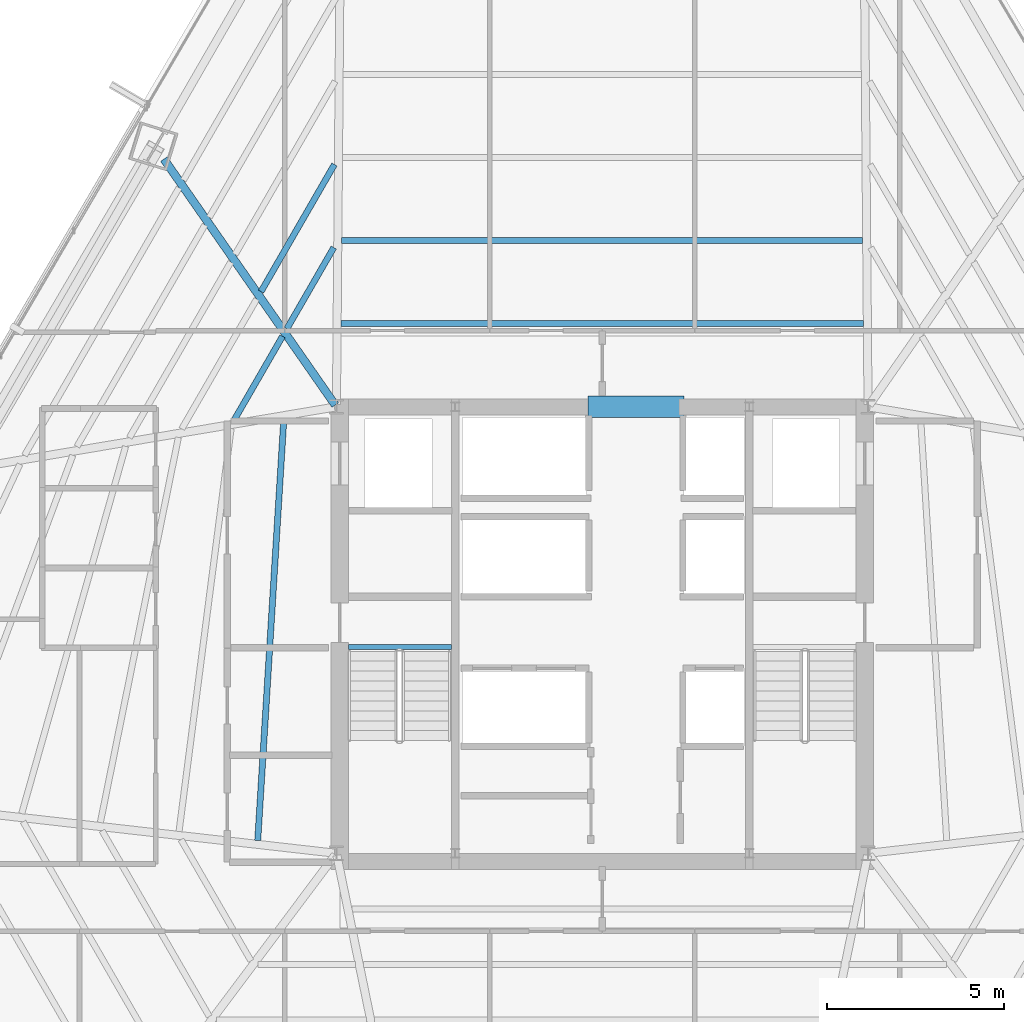
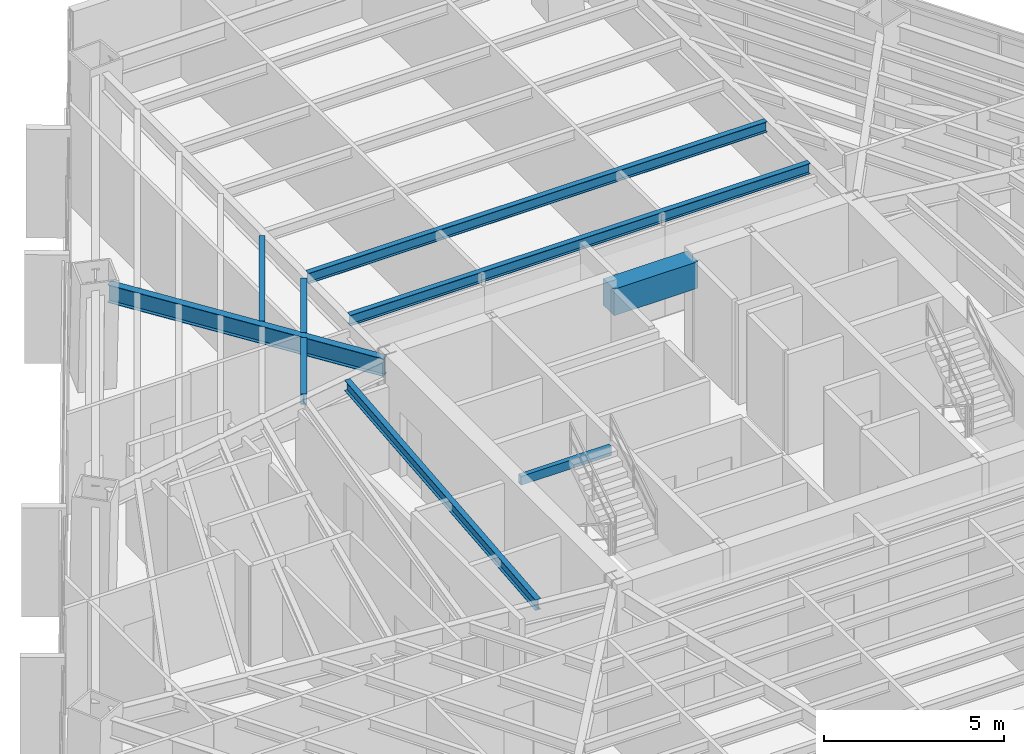
# One storey, part 14 of 37: 9 beams.
"""IFC4 building model written with IfcOpenShell, lengths in metres."""

from ifc_helpers import new_model, si_unit, direction, frame, origin, origin_2d, place, context, subcontext, project, spatial, rectangle, hollow_rectangle, i_section, extrude, source, transform, mapped, material, material_profile, profile_set, type_object, type_shapes, element, save


model = new_model("IFC4")

# Units and contexts
model_context = context("Model", 3, precision=1e-05, world=origin(), true_north=direction((0.0, 1.0)))
body_context = subcontext(model_context, "Body", "Model", "MODEL_VIEW")
ifc_project = project(units=[si_unit("LENGTHUNIT", "METRE"), si_unit("AREAUNIT", "SQUARE_METRE"), si_unit("VOLUMEUNIT", "CUBIC_METRE"), si_unit("PLANEANGLEUNIT", "RADIAN"), si_unit("MASSUNIT", "GRAM", prefix="KILO")], contexts=[model_context])

# Site, building, storey
site_placement = place(None, origin())
site = spatial("IfcSite", under=ifc_project, at=site_placement, CompositionType="ELEMENT")
building_placement = place(site_placement, origin())
building = spatial("IfcBuilding", under=site, at=building_placement, Name="Caelisora Broadcast Tower", CompositionType="ELEMENT")
storey_placement = place(building_placement, frame((0.0, 0.0, 105.39990234375)))
storey = spatial("IfcBuildingStorey", under=building, at=storey_placement, Name="L27", CompositionType="ELEMENT", Elevation=105.39990234375)

# Beams
ifc_material_1 = material(Name="Steel Grade 350 (AS/NZS 1163 C350L0)", Category="steel")
ifc_material_profile_1 = material_profile(ifc_material_1, hollow_rectangle(XDim=0.14990234375, YDim=0.300048828125, WallThickness=0.010009765625, at=origin_2d()), Name="Steel Grade 350 (AS/NZS 1163 C350L0)")
ifc_profile_set_1 = profile_set([ifc_material_profile_1], Name="Steel Grade 350 (AS/NZS 1163 C350L0)")
beam_type_1 = type_object("IfcBeamType", Name="SB05", PredefinedType="JOIST", material=ifc_profile_set_1)
shared_shape_1 = source(origin(), body_context, "Body", "SweptSolid", [
    extrude(hollow_rectangle(XDim=0.14990234375, YDim=0.300048828125, WallThickness=0.010009765625, at=origin_2d()), origin(), (0.0, 0.0, 1.0), 2.89990234375),
])
type_shapes(beam_type_1, [shared_shape_1])
beam_1_placement = place(storey_placement, frame((30.840087890625, 23.219970703125, 3.25), z_axis=(1.0, 0.0, 0.0), x_axis=(0.0, 1.0, 0.0)))
element("IfcBeam", 1, at=beam_1_placement, inside=storey, type_object=beam_type_1, Name="L27 beam SB05", PredefinedType="JOIST", context=body_context, shape_type="MappedRepresentation", body=[
    mapped(shared_shape_1, transform((0.0, 0.0, 0.0), scale=1.0)),
])
ifc_material_2 = material(Name="Concrete 50 MPa (AS 3600 S50)", Category="concrete")
ifc_material_profile_2 = material_profile(ifc_material_2, rectangle(XDim=0.60009765625, YDim=0.89990234375, at=origin_2d()), Name="Concrete 50 MPa (AS 3600 S50)")
ifc_profile_set_2 = profile_set([ifc_material_profile_2], Name="Concrete 50 MPa (AS 3600 S50)")
beam_type_2 = type_object("IfcBeamType", Name="CB02", PredefinedType="LINTEL", material=ifc_profile_set_2)
shared_shape_2 = source(origin(), body_context, "Body", "SweptSolid", [
    extrude(rectangle(XDim=0.60009765625, YDim=0.89990234375, at=origin_2d()), origin(), (0.0, 0.0, 1.0), 2.699951171875),
])
type_shapes(beam_type_2, [shared_shape_2])
beam_2_placement = place(storey_placement, frame((37.60009765625, 30.0, 2.9501953125), z_axis=(1.0, 0.0, 0.0), x_axis=(0.0, 1.0, 0.0)))
element("IfcBeam", 2, at=beam_2_placement, inside=storey, type_object=beam_type_2, Name="L27 beam CB02", PredefinedType="LINTEL", context=body_context, shape_type="MappedRepresentation", body=[
    mapped(shared_shape_2, transform((0.0, 0.0, 0.0), scale=1.0)),
])
ifc_material_3 = material(Name="Steel Grade 350 (AS/NZS 3679.1)", Category="steel")
ifc_material_profile_3 = material_profile(ifc_material_3, i_section(OverallWidth=0.22802734375, OverallDepth=0.602294921875, WebThickness=0.010498046875, FlangeThickness=0.014892578125, at=origin_2d()), Name="Steel Grade 350 (AS/NZS 3679.1)")
ifc_profile_set_3 = profile_set([ifc_material_profile_3], Name="Steel Grade 350 (AS/NZS 3679.1)")
beam_type_3 = type_object("IfcBeamType", Name="PG04", PredefinedType="BEAM", material=ifc_profile_set_3)
shared_shape_3 = source(origin(), body_context, "Body", "SweptSolid", [
    extrude(i_section(OverallWidth=0.22802734375, OverallDepth=0.602294921875, WebThickness=0.010498046875, FlangeThickness=0.014892578125, at=origin_2d()), origin(), (0.0, 0.0, 1.0), 8.458251953125),
])
type_shapes(beam_type_3, [shared_shape_3])
beam_3_placement = place(storey_placement, frame((30.4658203125, 30.04931640625, 3.098876953125), z_axis=(-0.571603082858, 0.82053026493, 0.0), x_axis=(-0.82053026493, -0.571603082858, 0.0)))
element("IfcBeam", 3, at=beam_3_placement, inside=storey, type_object=beam_type_3, Name="L27 beam PG04", PredefinedType="BEAM", context=body_context, shape_type="MappedRepresentation", body=[
    mapped(shared_shape_3, transform((0.0, 0.0, 0.0), scale=1.0)),
])
ifc_material_profile_4 = material_profile(ifc_material_3, i_section(OverallWidth=0.172119140625, OverallDepth=0.358642578125, WebThickness=0.008056640625, FlangeThickness=0.012939453125, at=origin_2d()), Name="Steel Grade 350 (AS/NZS 3679.1)")
ifc_profile_set_4 = profile_set([ifc_material_profile_4], Name="Steel Grade 350 (AS/NZS 3679.1)")
beam_type_4 = type_object("IfcBeamType", Name="SB02", PredefinedType="JOIST", material=ifc_profile_set_4)
shared_shape_4 = source(origin(), body_context, "Body", "SweptSolid", [
    extrude(i_section(OverallWidth=0.172119140625, OverallDepth=0.358642578125, WebThickness=0.008056640625, FlangeThickness=0.012939453125, at=origin_2d()), origin(), (0.0, 0.0, 1.0), 14.73974609375),
])
beam_4_placement = place(storey_placement, frame((45.369873046875, 32.344970703125, 3.220703125), z_axis=(-1.0, 0.0, 0.0), x_axis=(0.0, -1.0, 0.0)))
element("IfcBeam", 4, at=beam_4_placement, inside=storey, type_object=beam_type_4, Name="L27 beam SB02", PredefinedType="JOIST", context=body_context, shape_type="MappedRepresentation", body=[
    mapped(shared_shape_4, transform((0.0, 0.0, 0.0), scale=1.0)),
])
shared_shape_5 = source(origin(), body_context, "Body", "SweptSolid", [
    extrude(i_section(OverallWidth=0.172119140625, OverallDepth=0.358642578125, WebThickness=0.008056640625, FlangeThickness=0.012939453125, at=origin_2d()), origin(), (0.0, 0.0, 1.0), 14.701171875),
])
beam_5_placement = place(storey_placement, frame((45.3505859375, 34.690185546875, 3.220703125), z_axis=(-1.0, 0.0, 0.0), x_axis=(0.0, -1.0, 0.0)))
element("IfcBeam", 5, at=beam_5_placement, inside=storey, type_object=beam_type_4, Name="L27 beam SB02", PredefinedType="JOIST", context=body_context, shape_type="MappedRepresentation", body=[
    mapped(shared_shape_5, transform((0.0, 0.0, 0.0), scale=1.0)),
])
shared_shape_6 = source(origin(), body_context, "Body", "SweptSolid", [
    extrude(i_section(OverallWidth=0.172119140625, OverallDepth=0.358642578125, WebThickness=0.008056640625, FlangeThickness=0.012939453125, at=origin_2d()), origin(), (0.0, 0.0, 1.0), 2.64501953125),
])
beam_6_placement = place(storey_placement, frame((30.42431640625, 34.492431640625, 3.220703125), z_axis=(-0.500020753057, -0.86601342167, 0.0), x_axis=(0.86601342167, -0.500020753057, 0.0)))
element("IfcBeam", 6, at=beam_6_placement, inside=storey, type_object=beam_type_4, Name="L27 beam SB02", PredefinedType="JOIST", context=body_context, shape_type="MappedRepresentation", body=[
    mapped(shared_shape_6, transform((0.0, 0.0, 0.0), scale=1.0)),
])
shared_shape_7 = source(origin(), body_context, "Body", "SweptSolid", [
    extrude(i_section(OverallWidth=0.172119140625, OverallDepth=0.358642578125, WebThickness=0.008056640625, FlangeThickness=0.012939453125, at=origin_2d()), origin(), (0.0, 0.0, 1.0), 4.14306640625),
])
beam_7_placement = place(storey_placement, frame((30.443359375, 36.83740234375, 3.220703125), z_axis=(-0.500011510709, -0.866018757971, 0.0), x_axis=(0.866018757971, -0.500011510709, 0.0)))
element("IfcBeam", 7, at=beam_7_placement, inside=storey, type_object=beam_type_4, Name="L27 beam SB02", PredefinedType="JOIST", context=body_context, shape_type="MappedRepresentation", body=[
    mapped(shared_shape_7, transform((0.0, 0.0, 0.0), scale=1.0)),
])
shared_shape_8 = source(origin(), body_context, "Body", "SweptSolid", [
    extrude(i_section(OverallWidth=0.172119140625, OverallDepth=0.358642578125, WebThickness=0.008056640625, FlangeThickness=0.012939453125, at=origin_2d()), origin(), (0.0, 0.0, 1.0), 2.728271484375),
])
beam_8_placement = place(storey_placement, frame((28.978759765625, 31.989013671875, 3.220703125), z_axis=(-0.499960005448, -0.866048493418, 0.0), x_axis=(0.866048493418, -0.499960005448, 0.0)))
element("IfcBeam", 8, at=beam_8_placement, inside=storey, type_object=beam_type_4, Name="L27 beam SB02", PredefinedType="JOIST", context=body_context, shape_type="MappedRepresentation", body=[
    mapped(shared_shape_8, transform((0.0, 0.0, 0.0), scale=1.0)),
])
shared_shape_9 = source(origin(), body_context, "Body", "SweptSolid", [
    extrude(i_section(OverallWidth=0.172119140625, OverallDepth=0.358642578125, WebThickness=0.008056640625, FlangeThickness=0.012939453125, at=origin_2d()), origin(), (0.0, 0.0, 1.0), 11.895263671875),
])
type_shapes(beam_type_4, [shared_shape_4, shared_shape_5, shared_shape_6, shared_shape_7, shared_shape_8, shared_shape_9])
beam_9_placement = place(storey_placement, frame((29.01416015625, 29.636474609375, 3.220703125), z_axis=(-0.061798169339, -0.998088666535, 0.0), x_axis=(0.998088666535, -0.061798169339, 0.0)))
element("IfcBeam", 9, at=beam_9_placement, inside=storey, type_object=beam_type_4, Name="L27 beam SB02", PredefinedType="JOIST", context=body_context, shape_type="MappedRepresentation", body=[
    mapped(shared_shape_9, transform((0.0, 0.0, 0.0), scale=1.0)),
])

save(model, "model.ifc")
